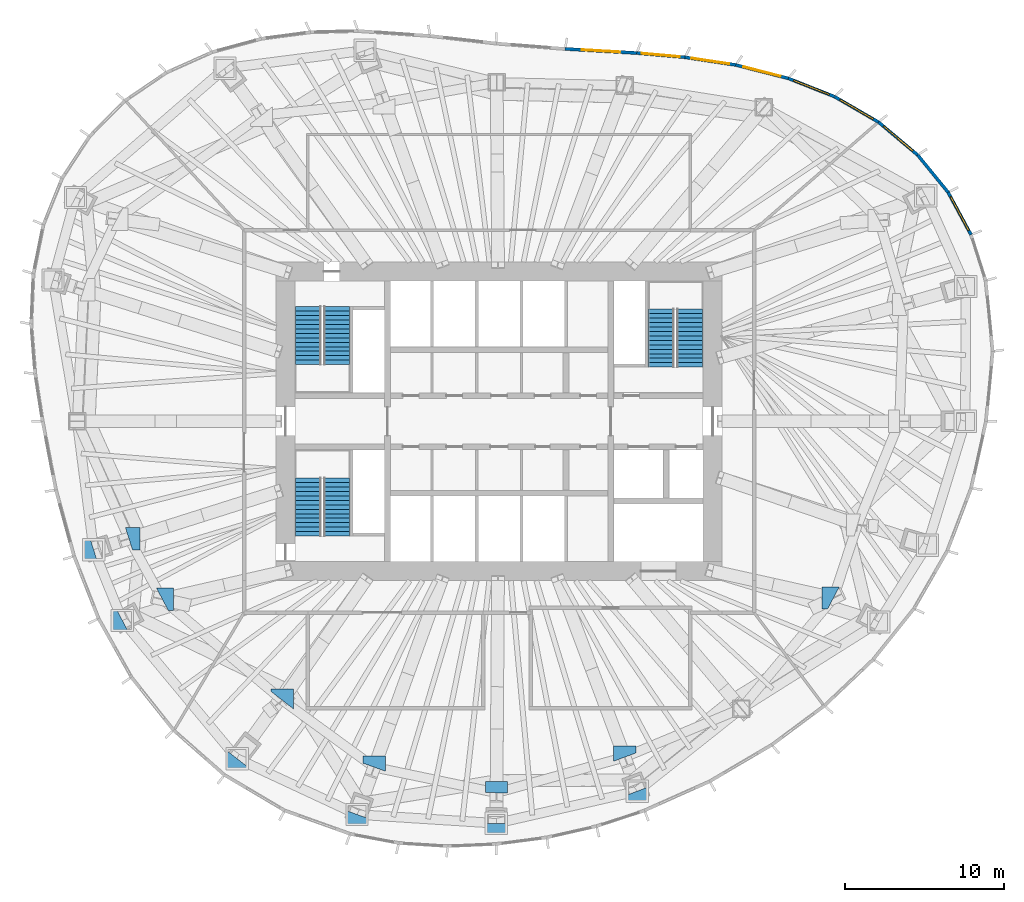
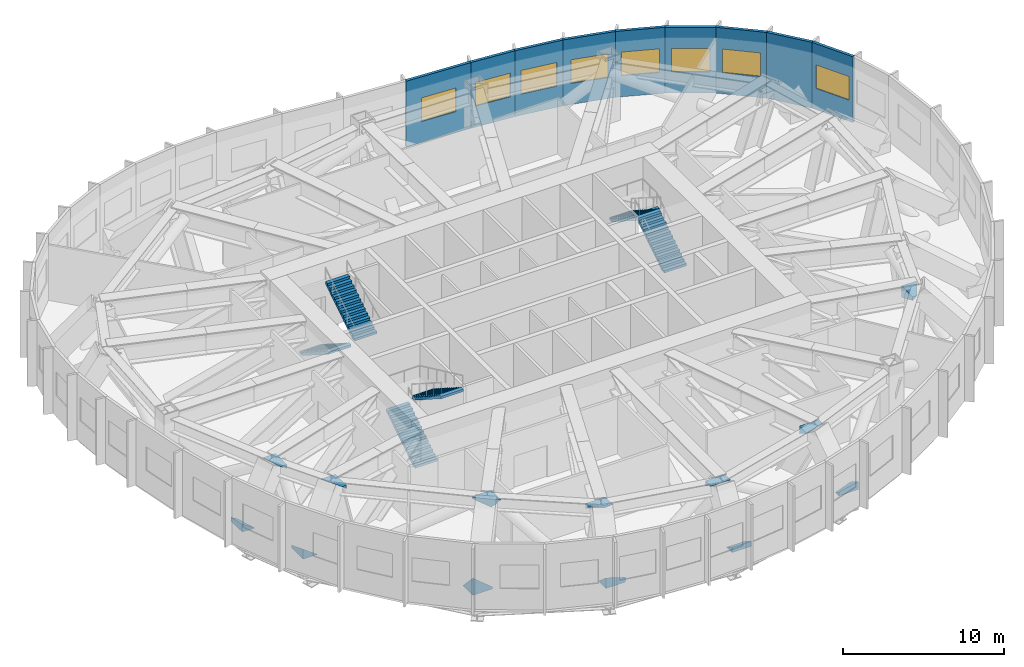
# One storey, part 10 of 12: 13 discrete accessories, 9 walls, 8 windows, 6 stair flights, 8 openings, 3 elements without a shape of their own.
"""IFC4 building model written with IfcOpenShell, lengths in metres."""

import ifcopenshell
import ifcopenshell.guid

model = None  # the IFC model being written
_history = None  # IfcOwnerHistory: only IFC2X3 demands one
_inside = {}  # id of a spatial element -> (the spatial element, [elements in it])
_under = {}  # id of a project, library or spatial element -> (it, [spatial elements below it])
_declared = {}  # id of a project -> (the project, [libraries it declares])
_typed = {}  # id of a type object -> (the type object, [elements of that type])
_made_of = {}  # id of a material, layer set ... -> (it, [elements and type objects made of it])


def new_model(schema):
    """Start an empty IFC model of exactly this schema.

    Asked for "IFC4X3", IfcOpenShell would pick the latest addendum, in which some entities
    have other attributes; the version numbers below select the first issue.
    IFC2X3 requires an IfcOwnerHistory on every rooted entity: one is made here for all.
    """
    global model, _history
    if schema == "IFC4X3":
        model = ifcopenshell.file(schema_version=(4, 3, 0, 0))
    else:
        model = ifcopenshell.file(schema=schema)
    _inside.clear()
    _under.clear()
    _declared.clear()
    _typed.clear()
    _made_of.clear()
    _history = None
    if model.schema == "IFC2X3":
        org = make("IfcOrganization", Name="unknown")
        user = make(
            "IfcPersonAndOrganization",
            ThePerson=make("IfcPerson", FamilyName="unknown"),
            TheOrganization=org,
        )
        app = make(
            "IfcApplication",
            ApplicationDeveloper=org,
            Version="unknown",
            ApplicationFullName="unknown",
            ApplicationIdentifier="unknown",
        )
        _history = make(
            "IfcOwnerHistory",
            OwningUser=user,
            OwningApplication=app,
            ChangeAction="ADDED",
            CreationDate=0,
        )
    return model


def make(cls, **values):
    """One entity of the class cls with the attributes given. An attribute that is None is left unset."""
    return model.create_entity(
        cls, **{name: value for name, value in values.items() if value is not None}
    )


def rooted(cls, **values):
    """An entity with a GlobalId (a new one), such as an element, a storey or a relation."""
    return make(cls, GlobalId=ifcopenshell.guid.new(), OwnerHistory=_history, **values)


def si_unit(unit_type, name, prefix=None):
    """IfcSIUnit, for example si_unit("LENGTHUNIT", "METRE", prefix="MILLI")."""
    return make("IfcSIUnit", UnitType=unit_type, Prefix=prefix, Name=name)


def assignment(units):
    """IfcUnitAssignment: the units of a project."""
    return None if units is None else make("IfcUnitAssignment", Units=units)


def point(xyz):
    """IfcCartesianPoint."""
    return None if xyz is None else make("IfcCartesianPoint", Coordinates=xyz)


def direction(xyz):
    """IfcDirection."""
    return None if xyz is None else make("IfcDirection", DirectionRatios=xyz)


def frame(location, z_axis=None, x_axis=None):
    """IfcAxis2Placement3D, a coordinate frame: its origin and axes. An axis left out is left unset."""
    return make(
        "IfcAxis2Placement3D",
        Location=point(location),
        Axis=direction(z_axis),
        RefDirection=direction(x_axis),
    )


def frame_2d(location, x_axis=None):
    """IfcAxis2Placement2D, a coordinate frame in the plane: its origin and x axis."""
    return make(
        "IfcAxis2Placement2D", Location=point(location), RefDirection=direction(x_axis)
    )


def origin():
    """The frame at (0, 0, 0) with its axes left unset."""
    return frame((0.0, 0.0, 0.0))


def origin_2d():
    """The frame at (0, 0) in the plane with its x axis left unset."""
    return frame_2d((0.0, 0.0))


def place(relative_to, where):
    """IfcLocalPlacement: puts the frame where relative to a parent placement (None: the world)."""
    return make(
        "IfcLocalPlacement", PlacementRelTo=relative_to, RelativePlacement=where
    )


def context(
    kind, dimensions, precision=None, world=None, true_north=None, identifier=None
):
    """IfcGeometricRepresentationContext, for example the 3D "Model" context."""
    return make(
        "IfcGeometricRepresentationContext",
        ContextIdentifier=identifier,
        ContextType=kind,
        CoordinateSpaceDimension=dimensions,
        Precision=precision,
        WorldCoordinateSystem=world,
        TrueNorth=true_north,
    )


def subcontext(parent, identifier, kind, view, scale=None):
    """IfcGeometricRepresentationSubContext, for example "Body" below "Model"."""
    return make(
        "IfcGeometricRepresentationSubContext",
        ContextIdentifier=identifier,
        ContextType=kind,
        ParentContext=parent,
        TargetScale=scale,
        TargetView=view,
    )


def project(units=None, contexts=None):
    """IfcProject with its units and contexts."""
    return rooted(
        "IfcProject",
        Name="project",
        RepresentationContexts=contexts,
        UnitsInContext=assignment(units),
    )


def spatial(cls, under=None, at=None, **own):
    """A site, building, storey or space (cls), placed at a placement, below another one or the project."""
    s = rooted(cls, ObjectPlacement=at, **own)
    if under is not None:
        _under.setdefault(under.id(), (under, []))[1].append(s)
    return s


def polyline(points):
    """IfcPolyline through the points."""
    return make("IfcPolyline", Points=[point(p) for p in points])


def profile(cls, at=None, kind="AREA", **sizes):
    """A parametric profile (cls). Its sizes go by their IFC names, for example OverallWidth=200.0."""
    return make(cls, ProfileType=kind, Position=at, **sizes)


def rectangle(**sizes):
    """IfcRectangleProfileDef."""
    return profile("IfcRectangleProfileDef", **sizes)


def outline(outer, holes=None, kind="AREA"):
    """IfcArbitraryClosedProfileDef: a profile drawn as a closed curve; with holes, ...WithVoids."""
    if holes is None:
        return make("IfcArbitraryClosedProfileDef", ProfileType=kind, OuterCurve=outer)
    return make(
        "IfcArbitraryProfileDefWithVoids",
        ProfileType=kind,
        OuterCurve=outer,
        InnerCurves=holes,
    )


def extrude(swept, where, along, depth):
    """IfcExtrudedAreaSolid: the profile swept, set in the frame where, extruded along a direction by depth."""
    return make(
        "IfcExtrudedAreaSolid",
        SweptArea=swept,
        Position=where,
        ExtrudedDirection=direction(along),
        Depth=depth,
    )


def clip(a, b, op="DIFFERENCE"):
    """IfcBooleanClippingResult: the solid a cut by the half space b."""
    return make(
        "IfcBooleanClippingResult", Operator=op, FirstOperand=a, SecondOperand=b
    )


def halfspace(plane, agree):
    """IfcHalfSpaceSolid: all space on one side of the plane z = 0 of the frame plane."""
    return make(
        "IfcHalfSpaceSolid",
        BaseSurface=make("IfcPlane", Position=plane),
        AgreementFlag=agree,
    )


def shape(context_of_items, identifier, shape_type, items):
    """IfcShapeRepresentation: the items that make up one representation, for example the "Body"."""
    return make(
        "IfcShapeRepresentation",
        ContextOfItems=context_of_items,
        RepresentationIdentifier=identifier,
        RepresentationType=shape_type,
        Items=items,
    )


def material(Name=None, Category=None):
    """IfcMaterial."""
    return make("IfcMaterial", Name=Name, Category=Category)


def layer(
    of_material, thickness, ventilated=None, Name=None, Category=None, Priority=None
):
    """IfcMaterialLayer: one layer of a wall or slab, of a material (None: an air gap)."""
    return make(
        "IfcMaterialLayer",
        Material=of_material,
        LayerThickness=thickness,
        IsVentilated=ventilated,
        Name=Name,
        Category=Category,
        Priority=Priority,
    )


def layer_set(layers, Name=None):
    """IfcMaterialLayerSet."""
    return make("IfcMaterialLayerSet", MaterialLayers=layers, LayerSetName=Name)


def material_profile(
    of_material, cross_section, Name=None, Category=None, Priority=None
):
    """IfcMaterialProfile: a cross section and its material."""
    return make(
        "IfcMaterialProfile",
        Name=Name,
        Material=of_material,
        Profile=cross_section,
        Priority=Priority,
        Category=Category,
    )


def profile_set(profiles, Name=None, composite=None):
    """IfcMaterialProfileSet."""
    return make(
        "IfcMaterialProfileSet",
        Name=Name,
        MaterialProfiles=profiles,
        CompositeProfile=composite,
    )


def made_of(thing, what):
    """Note that an element or type object is made of a material, layer set ...; save() writes the relation."""
    if what is not None:
        _made_of.setdefault(what.id(), (what, []))[1].append(thing)
    return thing


def type_object(cls, material=None, **own):
    """A type object (cls), such as IfcWallType, which elements share."""
    return made_of(rooted(cls, **own), material)


def element(
    cls,
    number,
    at=None,
    inside=None,
    cuts=None,
    type_object=None,
    material=None,
    context=None,
    identifier="Body",
    shape_type=None,
    held_by="IfcProductDefinitionShape",
    body=None,
    shapes=None,
    **own,
):
    """One element of the class cls, such as IfcWall. Its Tag is "e" and its number.

    at: its placement. inside: the storey or other place that contains it. cuts: it is an
    opening in that element (IfcRelVoidsElement). A single representation is given by context,
    identifier, shape_type and body (its items); several are given by shapes. held_by: the class
    of the entity that holds the representations. save() writes the other relations.
    """
    e = rooted(cls, Tag="e%d" % number, ObjectPlacement=at, **own)
    if body is not None:
        shapes = [shape(context, identifier, shape_type, body)]
    if shapes is not None:
        e.Representation = make(held_by, Representations=shapes)
    if inside is not None:
        _inside.setdefault(inside.id(), (inside, []))[1].append(e)
    if cuts is not None:
        rooted(
            "IfcRelVoidsElement", RelatingBuildingElement=cuts, RelatedOpeningElement=e
        )
    if type_object is not None:
        _typed.setdefault(type_object.id(), (type_object, []))[1].append(e)
    return made_of(e, material)


def fill(opening, filler):
    """IfcRelFillsElement: the door or window that sits in an opening."""
    return rooted(
        "IfcRelFillsElement",
        RelatingOpeningElement=opening,
        RelatedBuildingElement=filler,
    )


def aggregate(whole, parts):
    """IfcRelAggregates: a whole, such as a stair, and the parts it consists of."""
    return rooted("IfcRelAggregates", RelatingObject=whole, RelatedObjects=parts)


def save(model, path):
    """Write the relations noted so far, then the file.

    IfcRelAggregates (storeys below a building ...), IfcRelContainedInSpatialStructure (elements
    in a storey), IfcRelDefinesByType, IfcRelAssociatesMaterial and IfcRelDeclares: one each for
    every whole, place, type object, material and project.
    """
    for whole, parts in _under.values():
        aggregate(whole, parts)
    for where, things in _inside.values():
        rooted(
            "IfcRelContainedInSpatialStructure",
            RelatedElements=things,
            RelatingStructure=where,
        )
    for kind, things in _typed.values():
        rooted("IfcRelDefinesByType", RelatedObjects=things, RelatingType=kind)
    for what, things in _made_of.values():
        rooted("IfcRelAssociatesMaterial", RelatedObjects=things, RelatingMaterial=what)
    for by, libraries in _declared.values():
        rooted("IfcRelDeclares", RelatingContext=by, RelatedDefinitions=libraries)
    model.write(path)


model = new_model("IFC4")

# Units and contexts
model_context = context("Model", 3, precision=1e-05, world=origin(), true_north=direction((0.0, 1.0)))
body_context = subcontext(model_context, "Body", "Model", "MODEL_VIEW")
ifc_project = project(units=[si_unit("LENGTHUNIT", "METRE"), si_unit("AREAUNIT", "SQUARE_METRE"), si_unit("VOLUMEUNIT", "CUBIC_METRE"), si_unit("PLANEANGLEUNIT", "RADIAN"), si_unit("MASSUNIT", "GRAM", prefix="KILO")], contexts=[model_context])

# Site, building, storey
site_placement = place(None, origin())
site = spatial("IfcSite", under=ifc_project, at=site_placement, CompositionType="ELEMENT")
building_placement = place(site_placement, origin())
building = spatial("IfcBuilding", under=site, at=building_placement, Name="Ghaith Harvest Tower", CompositionType="ELEMENT")
storey_placement = place(building_placement, frame((0.0, 0.0, 189.800048828125)))
storey = spatial("IfcBuildingStorey", under=building, at=storey_placement, Name="L41", CompositionType="ELEMENT", Elevation=189.800048828125)

# Wall, opening, window
ifc_material_1 = material(Name="Steel, black insulated metal cladding panel", Category="steel")
ifc_layer = layer(ifc_material_1, 0.199951171875)
ifc_layer_set = layer_set([ifc_layer], Name="PLANT ENCLOSURE WALL 200")
wall_type = type_object("IfcWallType", Name="PLANT ENCLOSURE WALL 200", PredefinedType="SOLIDWALL", material=ifc_layer_set)
wall_1_placement = place(storey_placement, frame((29.615966796875, 11.70849609375, 0.0), z_axis=(0.0, 0.0, 1.0), x_axis=(-0.475196386684, 0.879879761151, 0.0)))
wall_1 = element("IfcWall", 1, at=wall_1_placement, inside=storey, type_object=wall_type, Name="Plant enclosure wall 02.2 L41", PredefinedType="SOLIDWALL", context=body_context, shape_type="SweptSolid", body=[
    extrude(rectangle(XDim=3.026123046875, YDim=0.199951171875, at=frame_2d((1.51318359375, 0.0))), origin(), (0.0, 0.0, 1.0), 5.0),
])
opening_1_placement = place(wall_1_placement, frame((0.31298828125, 0.0, 1.60009765625)))
opening_1 = element("IfcOpeningElement", 2, at=opening_1_placement, cuts=wall_1, Name="Opening LV1", PredefinedType="OPENING", context=body_context, shape_type="SweptSolid", body=[
    extrude(rectangle(XDim=2.39990234375, YDim=1.800048828125, at=frame_2d((1.199951171875, 0.89990234375))), frame((0.0, 0.10986328125, 0.0), z_axis=(0.0, -1.0, 0.0), x_axis=(1.0, 0.0, 0.0)), (0.0, 0.0, 1.0), 0.219970703125),
])
ifc_material_2 = material(Name="Aluminium louvre, black", Category="aluminium")
window_type = type_object("IfcWindowType", Name="LOUVRE L1 2400x1800", PartitioningType="SINGLE_PANEL", PredefinedType="WINDOW", material=ifc_material_2)
window_1_placement = place(opening_1_placement, origin())
window_1 = element("IfcWindow", 3, at=window_1_placement, inside=storey, type_object=window_type, Name="Plant louvre 02.2 L41", OverallHeight=1.800048828125, OverallWidth=2.39990234375, PartitioningType="SINGLE_PANEL", PredefinedType="WINDOW", context=body_context, shape_type="SweptSolid", body=[
    extrude(rectangle(XDim=2.39990234375, YDim=1.800048828125, at=frame_2d((1.199951171875, 0.89990234375))), frame((0.0, 0.030029296875, 0.0), z_axis=(0.0, -1.0, 0.0), x_axis=(1.0, 0.0, 0.0)), (0.0, 0.0, 1.0), 0.06005859375),
])
fill(opening_1, window_1)

# Wall
wall_2_placement = place(storey_placement, frame((28.177978515625, 14.37109375, 0.0), z_axis=(0.0, 0.0, 1.0), x_axis=(-0.632574099332, 0.774499844322, 0.0)))
element("IfcWall", 4, at=wall_2_placement, inside=storey, type_object=wall_type, Name="Plant enclosure wall 02.3 L41", PredefinedType="SOLIDWALL", context=body_context, shape_type="SweptSolid", body=[
    extrude(rectangle(XDim=3.02587890625, YDim=0.199951171875, at=frame_2d((1.512939453125, 0.0))), origin(), (0.0, 0.0, 1.0), 5.0),
])

# Wall, opening, window
wall_3_placement = place(storey_placement, frame((26.263916015625, 16.714599609375, 0.0), z_axis=(0.0, 0.0, 1.0), x_axis=(-0.76560297856, 0.643313360051, 0.0)))
wall_3 = element("IfcWall", 5, at=wall_3_placement, inside=storey, type_object=wall_type, Name="Plant enclosure wall 03.1 L41", PredefinedType="SOLIDWALL", context=body_context, shape_type="SweptSolid", body=[
    extrude(rectangle(XDim=3.210205078125, YDim=0.199951171875, at=frame_2d((1.60498046875, 0.0))), origin(), (0.0, 0.0, 1.0), 5.0),
])
opening_2_placement = place(wall_3_placement, frame((0.405029296875, 0.0, 1.60009765625)))
opening_2 = element("IfcOpeningElement", 6, at=opening_2_placement, cuts=wall_3, Name="Opening LV1", PredefinedType="OPENING", context=body_context, shape_type="SweptSolid", body=[
    extrude(rectangle(XDim=2.39990234375, YDim=1.800048828125, at=frame_2d((1.199951171875, 0.89990234375))), frame((0.0, 0.10986328125, 0.0), z_axis=(0.0, -1.0, 0.0), x_axis=(1.0, 0.0, 0.0)), (0.0, 0.0, 1.0), 0.219970703125),
])
window_2_placement = place(opening_2_placement, origin())
window_2 = element("IfcWindow", 7, at=window_2_placement, inside=storey, type_object=window_type, Name="Plant louvre 03.1 L41", OverallHeight=1.800048828125, OverallWidth=2.39990234375, PartitioningType="SINGLE_PANEL", PredefinedType="WINDOW", context=body_context, shape_type="SweptSolid", body=[
    extrude(rectangle(XDim=2.39990234375, YDim=1.800048828125, at=frame_2d((1.199951171875, 0.89990234375))), frame((0.0, 0.030029296875, 0.0), z_axis=(0.0, -1.0, 0.0), x_axis=(1.0, 0.0, 0.0)), (0.0, 0.0, 1.0), 0.06005859375),
])
fill(opening_2, window_2)

wall_4_placement = place(storey_placement, frame((23.80615234375, 18.77978515625, 0.0), z_axis=(0.0, 0.0, 1.0), x_axis=(-0.865315990088, 0.501226732426, 0.0)))
wall_4 = element("IfcWall", 8, at=wall_4_placement, inside=storey, type_object=wall_type, Name="Plant enclosure wall 03.2 L41", PredefinedType="SOLIDWALL", context=body_context, shape_type="SweptSolid", body=[
    extrude(rectangle(XDim=3.18310546875, YDim=0.199951171875, at=frame_2d((1.591552734375, 0.0))), origin(), (0.0, 0.0, 1.0), 5.0),
])
opening_3_placement = place(wall_4_placement, frame((0.3916015625, 0.0, 1.60009765625)))
opening_3 = element("IfcOpeningElement", 9, at=opening_3_placement, cuts=wall_4, Name="Opening LV1", PredefinedType="OPENING", context=body_context, shape_type="SweptSolid", body=[
    extrude(rectangle(XDim=2.39990234375, YDim=1.800048828125, at=frame_2d((1.199951171875, 0.89990234375))), frame((0.0, 0.10986328125, 0.0), z_axis=(0.0, -1.0, 0.0), x_axis=(1.0, 0.0, 0.0)), (0.0, 0.0, 1.0), 0.219970703125),
])
window_3_placement = place(opening_3_placement, origin())
window_3 = element("IfcWindow", 10, at=window_3_placement, inside=storey, type_object=window_type, Name="Plant louvre 03.2 L41", OverallHeight=1.800048828125, OverallWidth=2.39990234375, PartitioningType="SINGLE_PANEL", PredefinedType="WINDOW", context=body_context, shape_type="SweptSolid", body=[
    extrude(rectangle(XDim=2.39990234375, YDim=1.800048828125, at=frame_2d((1.199951171875, 0.89990234375))), frame((0.0, 0.030029296875, 0.0), z_axis=(0.0, -1.0, 0.0), x_axis=(1.0, 0.0, 0.0)), (0.0, 0.0, 1.0), 0.06005859375),
])
fill(opening_3, window_3)

wall_5_placement = place(storey_placement, frame((21.0517578125, 20.375244140625, 0.0), z_axis=(0.0, 0.0, 1.0), x_axis=(-0.929958232121, 0.367665182619, 0.0)))
wall_5 = element("IfcWall", 11, at=wall_5_placement, inside=storey, type_object=wall_type, Name="Plant enclosure wall 03.3 L41", PredefinedType="SOLIDWALL", context=body_context, shape_type="SweptSolid", body=[
    extrude(rectangle(XDim=3.120849609375, YDim=0.199951171875, at=frame_2d((1.560546875, 0.0))), origin(), (0.0, 0.0, 1.0), 5.0),
])
opening_4_placement = place(wall_5_placement, frame((0.360595703125, 0.0, 1.60009765625)))
opening_4 = element("IfcOpeningElement", 12, at=opening_4_placement, cuts=wall_5, Name="Opening LV1", PredefinedType="OPENING", context=body_context, shape_type="SweptSolid", body=[
    extrude(rectangle(XDim=2.39990234375, YDim=1.800048828125, at=frame_2d((1.199951171875, 0.89990234375))), frame((0.0, 0.10986328125, 0.0), z_axis=(0.0, -1.0, 0.0), x_axis=(1.0, 0.0, 0.0)), (0.0, 0.0, 1.0), 0.219970703125),
])
window_4_placement = place(opening_4_placement, origin())
window_4 = element("IfcWindow", 13, at=window_4_placement, inside=storey, type_object=window_type, Name="Plant louvre 03.3 L41", OverallHeight=1.800048828125, OverallWidth=2.39990234375, PartitioningType="SINGLE_PANEL", PredefinedType="WINDOW", context=body_context, shape_type="SweptSolid", body=[
    extrude(rectangle(XDim=2.39990234375, YDim=1.800048828125, at=frame_2d((1.199951171875, 0.89990234375))), frame((0.0, 0.030029296875, 0.0), z_axis=(0.0, -1.0, 0.0), x_axis=(1.0, 0.0, 0.0)), (0.0, 0.0, 1.0), 0.06005859375),
])
fill(opening_4, window_4)

wall_6_placement = place(storey_placement, frame((18.1494140625, 21.522705078125, 0.0), z_axis=(0.0, 0.0, 1.0), x_axis=(-0.968996003828, 0.24707639419, 0.0)))
wall_6 = element("IfcWall", 14, at=wall_6_placement, inside=storey, type_object=wall_type, Name="Plant enclosure wall 04.1 L41", PredefinedType="SOLIDWALL", context=body_context, shape_type="SweptSolid", body=[
    extrude(rectangle(XDim=3.401123046875, YDim=0.199951171875, at=frame_2d((1.70068359375, 0.0))), origin(), (0.0, 0.0, 1.0), 5.0),
])
opening_5_placement = place(wall_6_placement, frame((0.50048828125, 0.0, 1.60009765625)))
opening_5 = element("IfcOpeningElement", 15, at=opening_5_placement, cuts=wall_6, Name="Opening LV1", PredefinedType="OPENING", context=body_context, shape_type="SweptSolid", body=[
    extrude(rectangle(XDim=2.39990234375, YDim=1.800048828125, at=frame_2d((1.199951171875, 0.89990234375))), frame((0.0, 0.10986328125, 0.0), z_axis=(0.0, -1.0, 0.0), x_axis=(1.0, 0.0, 0.0)), (0.0, 0.0, 1.0), 0.219970703125),
])
window_5_placement = place(opening_5_placement, origin())
window_5 = element("IfcWindow", 16, at=window_5_placement, inside=storey, type_object=window_type, Name="Plant louvre 04.1 L41", OverallHeight=1.800048828125, OverallWidth=2.39990234375, PartitioningType="SINGLE_PANEL", PredefinedType="WINDOW", context=body_context, shape_type="SweptSolid", body=[
    extrude(rectangle(XDim=2.39990234375, YDim=1.800048828125, at=frame_2d((1.199951171875, 0.89990234375))), frame((0.0, 0.030029296875, 0.0), z_axis=(0.0, -1.0, 0.0), x_axis=(1.0, 0.0, 0.0)), (0.0, 0.0, 1.0), 0.06005859375),
])
fill(opening_5, window_5)

wall_7_placement = place(storey_placement, frame((14.853759765625, 22.363037109375, 0.0), z_axis=(0.0, 0.0, 1.0), x_axis=(-0.988726707852, 0.149731416807, 0.0)))
wall_7 = element("IfcWall", 17, at=wall_7_placement, inside=storey, type_object=wall_type, Name="Plant enclosure wall 04.2 L41", PredefinedType="SOLIDWALL", context=body_context, shape_type="SweptSolid", body=[
    extrude(rectangle(XDim=3.226806640625, YDim=0.199951171875, at=frame_2d((1.61328125, 0.0))), origin(), (0.0, 0.0, 1.0), 5.0),
])
opening_6_placement = place(wall_7_placement, frame((0.413330078125, 0.0, 1.60009765625)))
opening_6 = element("IfcOpeningElement", 18, at=opening_6_placement, cuts=wall_7, Name="Opening LV1", PredefinedType="OPENING", context=body_context, shape_type="SweptSolid", body=[
    extrude(rectangle(XDim=2.39990234375, YDim=1.800048828125, at=frame_2d((1.199951171875, 0.89990234375))), frame((0.0, 0.10986328125, 0.0), z_axis=(0.0, -1.0, 0.0), x_axis=(1.0, 0.0, 0.0)), (0.0, 0.0, 1.0), 0.219970703125),
])
window_6_placement = place(opening_6_placement, origin())
window_6 = element("IfcWindow", 19, at=window_6_placement, inside=storey, type_object=window_type, Name="Plant louvre 04.2 L41", OverallHeight=1.800048828125, OverallWidth=2.39990234375, PartitioningType="SINGLE_PANEL", PredefinedType="WINDOW", context=body_context, shape_type="SweptSolid", body=[
    extrude(rectangle(XDim=2.39990234375, YDim=1.800048828125, at=frame_2d((1.199951171875, 0.89990234375))), frame((0.0, 0.030029296875, 0.0), z_axis=(0.0, -1.0, 0.0), x_axis=(1.0, 0.0, 0.0)), (0.0, 0.0, 1.0), 0.06005859375),
])
fill(opening_6, window_6)

wall_8_placement = place(storey_placement, frame((11.663330078125, 22.84619140625, 0.0), z_axis=(0.0, 0.0, 1.0), x_axis=(-0.996184544744, 0.087271718292, 0.0)))
wall_8 = element("IfcWall", 20, at=wall_8_placement, inside=storey, type_object=wall_type, Name="Plant enclosure wall 04.3 L41", PredefinedType="SOLIDWALL", context=body_context, shape_type="SweptSolid", body=[
    extrude(rectangle(XDim=3.03515625, YDim=0.199951171875, at=frame_2d((1.517578125, 0.0))), origin(), (0.0, 0.0, 1.0), 5.0),
])
opening_7_placement = place(wall_8_placement, frame((0.317626953125, 0.0, 1.60009765625)))
opening_7 = element("IfcOpeningElement", 21, at=opening_7_placement, cuts=wall_8, Name="Opening LV1", PredefinedType="OPENING", context=body_context, shape_type="SweptSolid", body=[
    extrude(rectangle(XDim=2.39990234375, YDim=1.800048828125, at=frame_2d((1.199951171875, 0.89990234375))), frame((0.0, 0.10986328125, 0.0), z_axis=(0.0, -1.0, 0.0), x_axis=(1.0, 0.0, 0.0)), (0.0, 0.0, 1.0), 0.219970703125),
])
window_7_placement = place(opening_7_placement, origin())
window_7 = element("IfcWindow", 22, at=window_7_placement, inside=storey, type_object=window_type, Name="Plant louvre 04.3 L41", OverallHeight=1.800048828125, OverallWidth=2.39990234375, PartitioningType="SINGLE_PANEL", PredefinedType="WINDOW", context=body_context, shape_type="SweptSolid", body=[
    extrude(rectangle(XDim=2.39990234375, YDim=1.800048828125, at=frame_2d((1.199951171875, 0.89990234375))), frame((0.0, 0.030029296875, 0.0), z_axis=(0.0, -1.0, 0.0), x_axis=(1.0, 0.0, 0.0)), (0.0, 0.0, 1.0), 0.06005859375),
])
fill(opening_7, window_7)

wall_9_placement = place(storey_placement, frame((8.6396484375, 23.111083984375, 0.0), z_axis=(0.0, 0.0, 1.0), x_axis=(-0.99832925557, 0.057781463049, 0.0)))
wall_9 = element("IfcWall", 23, at=wall_9_placement, inside=storey, type_object=wall_type, Name="Plant enclosure wall 05.1 L41", PredefinedType="SOLIDWALL", context=body_context, shape_type="SweptSolid", body=[
    extrude(rectangle(XDim=4.504150390625, YDim=0.199951171875, at=frame_2d((2.251953125, 0.0))), origin(), (0.0, 0.0, 1.0), 5.0),
])
opening_8_placement = place(wall_9_placement, frame((1.052001953125, 0.0, 1.60009765625)))
opening_8 = element("IfcOpeningElement", 24, at=opening_8_placement, cuts=wall_9, Name="Opening LV1", PredefinedType="OPENING", context=body_context, shape_type="SweptSolid", body=[
    extrude(rectangle(XDim=2.39990234375, YDim=1.800048828125, at=frame_2d((1.199951171875, 0.89990234375))), frame((0.0, 0.10986328125, 0.0), z_axis=(0.0, -1.0, 0.0), x_axis=(1.0, 0.0, 0.0)), (0.0, 0.0, 1.0), 0.219970703125),
])
window_8_placement = place(opening_8_placement, origin())
window_8 = element("IfcWindow", 25, at=window_8_placement, inside=storey, type_object=window_type, Name="Plant louvre 05.1 L41", OverallHeight=1.800048828125, OverallWidth=2.39990234375, PartitioningType="SINGLE_PANEL", PredefinedType="WINDOW", context=body_context, shape_type="SweptSolid", body=[
    extrude(rectangle(XDim=2.39990234375, YDim=1.800048828125, at=frame_2d((1.199951171875, 0.89990234375))), frame((0.0, 0.030029296875, 0.0), z_axis=(0.0, -1.0, 0.0), x_axis=(1.0, 0.0, 0.0)), (0.0, 0.0, 1.0), 0.06005859375),
])
fill(opening_8, window_8)

# Stair, stair flights
ifc_material_3 = material(Name="Concrete C40/50, precast", Category="concrete")
stair_type = type_object("IfcStairType", Name="CORE STAIR 28R", PredefinedType="HALF_TURN_STAIR", material=ifc_material_3)
stair_1_placement = place(storey_placement, origin())
stair_1 = element("IfcStair", 26, at=stair_1_placement, inside=storey, type_object=stair_type, Name="Stair ST1 L41", PredefinedType="HALF_TURN_STAIR")
ifc_material_4 = material(Name="Concrete C40/50, precast", Category="concrete")
stair_flight_type = type_object("IfcStairFlightType", Name="CORE FLIGHT 14R 1600", PredefinedType="STRAIGHT", material=ifc_material_4)
stair_flight_1_placement = place(storey_placement, frame((-12.0, 7.199951171875, 0.0), z_axis=(0.0, 0.0, 1.0), x_axis=(0.0, -1.0, 0.0)))
stair_flight_1 = element("IfcStairFlight", 27, at=stair_flight_1_placement, type_object=stair_flight_type, Name="ST1 flight 1", NumberOfRisers=14, NumberOfTreads=13, PredefinedType="STRAIGHT", RiserHeight=0.178571429, TreadLength=0.28, context=body_context, shape_type="SweptSolid", body=[
    extrude(outline(polyline([(0.0, 0.0), (0.0, 0.178466796875), (0.280029296875, 0.178466796875), (0.280029296875, 0.357177734375), (0.56005859375, 0.357177734375), (0.56005859375, 0.53564453125), (0.840087890625, 0.53564453125), (0.840087890625, 0.71435546875), (1.1201171875, 0.71435546875), (1.1201171875, 0.892822265625), (1.39990234375, 0.892822265625), (1.39990234375, 1.071533203125), (1.679931640625, 1.071533203125), (1.679931640625, 1.25), (1.9599609375, 1.25), (1.9599609375, 1.428466796875), (2.239990234375, 1.428466796875), (2.239990234375, 1.607177734375), (2.52001953125, 1.607177734375), (2.52001953125, 1.78564453125), (2.800048828125, 1.78564453125), (2.800048828125, 1.96435546875), (3.080078125, 1.96435546875), (3.080078125, 2.142822265625), (3.360107421875, 2.142822265625), (3.360107421875, 2.321533203125), (3.639892578125, 2.321533203125), (3.639892578125, 2.5), (3.639892578125, 2.1435546875), (0.27880859375, 0.0), (0.0, 0.0)])), frame((0.0, 0.800048828125, 0.0), z_axis=(0.0, -1.0, 0.0), x_axis=(1.0, 0.0, 0.0)), (0.0, 0.0, 1.0), 1.60009765625),
])
stair_flight_2_placement = place(storey_placement, frame((-10.14990234375, 3.56005859375, 2.5), z_axis=(0.0, 0.0, 1.0), x_axis=(0.0, 1.0, 0.0)))
stair_flight_2 = element("IfcStairFlight", 28, at=stair_flight_2_placement, type_object=stair_flight_type, Name="ST1 flight 2", NumberOfRisers=14, NumberOfTreads=13, PredefinedType="STRAIGHT", RiserHeight=0.178571429, TreadLength=0.28, context=body_context, shape_type="SweptSolid", body=[
    extrude(outline(polyline([(0.0, 0.0), (0.0, 0.178466796875), (0.280029296875, 0.178466796875), (0.280029296875, 0.357177734375), (0.56005859375, 0.357177734375), (0.56005859375, 0.53564453125), (0.840087890625, 0.53564453125), (0.840087890625, 0.71435546875), (1.1201171875, 0.71435546875), (1.1201171875, 0.892822265625), (1.39990234375, 0.892822265625), (1.39990234375, 1.071533203125), (1.679931640625, 1.071533203125), (1.679931640625, 1.25), (1.9599609375, 1.25), (1.9599609375, 1.428466796875), (2.239990234375, 1.428466796875), (2.239990234375, 1.607177734375), (2.52001953125, 1.607177734375), (2.52001953125, 1.78564453125), (2.800048828125, 1.78564453125), (2.800048828125, 1.96435546875), (3.080078125, 1.96435546875), (3.080078125, 2.142822265625), (3.360107421875, 2.142822265625), (3.360107421875, 2.321533203125), (3.639892578125, 2.321533203125), (3.639892578125, 2.5), (3.639892578125, 2.1435546875), (0.27880859375, 0.0), (0.0, 0.0)])), frame((0.0, 0.800048828125, 0.0), z_axis=(0.0, -1.0, 0.0), x_axis=(1.0, 0.0, 0.0)), (0.0, 0.0, 1.0), 1.60009765625),
])
aggregate(stair_1, [stair_flight_1, stair_flight_2])

stair_2_placement = place(storey_placement, origin())
stair_2 = element("IfcStair", 29, at=stair_2_placement, inside=storey, type_object=stair_type, Name="Stair ST3 L41", PredefinedType="HALF_TURN_STAIR")
stair_flight_3_placement = place(storey_placement, frame((-12.0, -7.199951171875, 0.0), z_axis=(0.0, 0.0, 1.0), x_axis=(0.0, 1.0, 0.0)))
stair_flight_3 = element("IfcStairFlight", 30, at=stair_flight_3_placement, type_object=stair_flight_type, Name="ST3 flight 1", NumberOfRisers=14, NumberOfTreads=13, PredefinedType="STRAIGHT", RiserHeight=0.178571429, TreadLength=0.28, context=body_context, shape_type="SweptSolid", body=[
    extrude(outline(polyline([(0.0, 0.0), (0.0, 0.178466796875), (0.280029296875, 0.178466796875), (0.280029296875, 0.357177734375), (0.56005859375, 0.357177734375), (0.56005859375, 0.53564453125), (0.840087890625, 0.53564453125), (0.840087890625, 0.71435546875), (1.1201171875, 0.71435546875), (1.1201171875, 0.892822265625), (1.39990234375, 0.892822265625), (1.39990234375, 1.071533203125), (1.679931640625, 1.071533203125), (1.679931640625, 1.25), (1.9599609375, 1.25), (1.9599609375, 1.428466796875), (2.239990234375, 1.428466796875), (2.239990234375, 1.607177734375), (2.52001953125, 1.607177734375), (2.52001953125, 1.78564453125), (2.800048828125, 1.78564453125), (2.800048828125, 1.96435546875), (3.080078125, 1.96435546875), (3.080078125, 2.142822265625), (3.360107421875, 2.142822265625), (3.360107421875, 2.321533203125), (3.639892578125, 2.321533203125), (3.639892578125, 2.5), (3.639892578125, 2.1435546875), (0.27880859375, 0.0), (0.0, 0.0)])), frame((0.0, 0.800048828125, 0.0), z_axis=(0.0, -1.0, 0.0), x_axis=(1.0, 0.0, 0.0)), (0.0, 0.0, 1.0), 1.60009765625),
])
stair_flight_4_placement = place(storey_placement, frame((-10.14990234375, -3.56005859375, 2.5), z_axis=(0.0, 0.0, 1.0), x_axis=(0.0, -1.0, 0.0)))
stair_flight_4 = element("IfcStairFlight", 31, at=stair_flight_4_placement, type_object=stair_flight_type, Name="ST3 flight 2", NumberOfRisers=14, NumberOfTreads=13, PredefinedType="STRAIGHT", RiserHeight=0.178571429, TreadLength=0.28, context=body_context, shape_type="SweptSolid", body=[
    extrude(outline(polyline([(0.0, 0.0), (0.0, 0.178466796875), (0.280029296875, 0.178466796875), (0.280029296875, 0.357177734375), (0.56005859375, 0.357177734375), (0.56005859375, 0.53564453125), (0.840087890625, 0.53564453125), (0.840087890625, 0.71435546875), (1.1201171875, 0.71435546875), (1.1201171875, 0.892822265625), (1.39990234375, 0.892822265625), (1.39990234375, 1.071533203125), (1.679931640625, 1.071533203125), (1.679931640625, 1.25), (1.9599609375, 1.25), (1.9599609375, 1.428466796875), (2.239990234375, 1.428466796875), (2.239990234375, 1.607177734375), (2.52001953125, 1.607177734375), (2.52001953125, 1.78564453125), (2.800048828125, 1.78564453125), (2.800048828125, 1.96435546875), (3.080078125, 1.96435546875), (3.080078125, 2.142822265625), (3.360107421875, 2.142822265625), (3.360107421875, 2.321533203125), (3.639892578125, 2.321533203125), (3.639892578125, 2.5), (3.639892578125, 2.1435546875), (0.27880859375, 0.0), (0.0, 0.0)])), frame((0.0, 0.800048828125, 0.0), z_axis=(0.0, -1.0, 0.0), x_axis=(1.0, 0.0, 0.0)), (0.0, 0.0, 1.0), 1.60009765625),
])
aggregate(stair_2, [stair_flight_3, stair_flight_4])

stair_3_placement = place(storey_placement, origin())
stair_3 = element("IfcStair", 32, at=stair_3_placement, inside=storey, type_object=stair_type, Name="Stair ST2 L41", PredefinedType="HALF_TURN_STAIR")
stair_flight_5_placement = place(storey_placement, frame((12.0, 3.39990234375, 0.0), z_axis=(0.0, 0.0, 1.0), x_axis=(0.0, 1.0, 0.0)))
stair_flight_5 = element("IfcStairFlight", 33, at=stair_flight_5_placement, type_object=stair_flight_type, Name="ST2 flight 1", NumberOfRisers=14, NumberOfTreads=13, PredefinedType="STRAIGHT", RiserHeight=0.178571429, TreadLength=0.28, context=body_context, shape_type="SweptSolid", body=[
    extrude(outline(polyline([(0.0, 0.0), (0.0, 0.178466796875), (0.280029296875, 0.178466796875), (0.280029296875, 0.357177734375), (0.56005859375, 0.357177734375), (0.56005859375, 0.53564453125), (0.840087890625, 0.53564453125), (0.840087890625, 0.71435546875), (1.1201171875, 0.71435546875), (1.1201171875, 0.892822265625), (1.39990234375, 0.892822265625), (1.39990234375, 1.071533203125), (1.679931640625, 1.071533203125), (1.679931640625, 1.25), (1.9599609375, 1.25), (1.9599609375, 1.428466796875), (2.239990234375, 1.428466796875), (2.239990234375, 1.607177734375), (2.52001953125, 1.607177734375), (2.52001953125, 1.78564453125), (2.800048828125, 1.78564453125), (2.800048828125, 1.96435546875), (3.080078125, 1.96435546875), (3.080078125, 2.142822265625), (3.360107421875, 2.142822265625), (3.360107421875, 2.321533203125), (3.639892578125, 2.321533203125), (3.639892578125, 2.5), (3.639892578125, 2.1435546875), (0.27880859375, 0.0), (0.0, 0.0)])), frame((0.0, 0.800048828125, 0.0), z_axis=(0.0, -1.0, 0.0), x_axis=(1.0, 0.0, 0.0)), (0.0, 0.0, 1.0), 1.60009765625),
])
stair_flight_6_placement = place(storey_placement, frame((10.14990234375, 7.0400390625, 2.5), z_axis=(0.0, 0.0, 1.0), x_axis=(0.0, -1.0, 0.0)))
stair_flight_6 = element("IfcStairFlight", 34, at=stair_flight_6_placement, type_object=stair_flight_type, Name="ST2 flight 2", NumberOfRisers=14, NumberOfTreads=13, PredefinedType="STRAIGHT", RiserHeight=0.178571429, TreadLength=0.28, context=body_context, shape_type="SweptSolid", body=[
    extrude(outline(polyline([(0.0, 0.0), (0.0, 0.178466796875), (0.280029296875, 0.178466796875), (0.280029296875, 0.357177734375), (0.56005859375, 0.357177734375), (0.56005859375, 0.53564453125), (0.840087890625, 0.53564453125), (0.840087890625, 0.71435546875), (1.1201171875, 0.71435546875), (1.1201171875, 0.892822265625), (1.39990234375, 0.892822265625), (1.39990234375, 1.071533203125), (1.679931640625, 1.071533203125), (1.679931640625, 1.25), (1.9599609375, 1.25), (1.9599609375, 1.428466796875), (2.239990234375, 1.428466796875), (2.239990234375, 1.607177734375), (2.52001953125, 1.607177734375), (2.52001953125, 1.78564453125), (2.800048828125, 1.78564453125), (2.800048828125, 1.96435546875), (3.080078125, 1.96435546875), (3.080078125, 2.142822265625), (3.360107421875, 2.142822265625), (3.360107421875, 2.321533203125), (3.639892578125, 2.321533203125), (3.639892578125, 2.5), (3.639892578125, 2.1435546875), (0.27880859375, 0.0), (0.0, 0.0)])), frame((0.0, 0.800048828125, 0.0), z_axis=(0.0, -1.0, 0.0), x_axis=(1.0, 0.0, 0.0)), (0.0, 0.0, 1.0), 1.60009765625),
])
aggregate(stair_3, [stair_flight_5, stair_flight_6])

# Discrete accessories
ifc_material_5 = material(Name="Steel S460M", Category="steel")
ifc_material_profile = material_profile(ifc_material_5, rectangle(XDim=1.39990234375, YDim=1.39990234375, at=origin_2d()), Name="KINK NODE BEARING SHOE 1400")
ifc_profile_set = profile_set([ifc_material_profile], Name="Steel S460M")
discrete_accessory_type = type_object("IfcDiscreteAccessoryType", Name="KINK NODE BEARING SHOE 1400", PredefinedType="SHOE", material=ifc_profile_set)
discrete_accessory_1_placement = place(storey_placement, frame((-25.43603515625, -8.06103515625, 0.77490234375), z_axis=(0.0, 0.0, 1.0), x_axis=(1.0, 0.0, 0.0)))
element("IfcDiscreteAccessory", 35, at=discrete_accessory_1_placement, inside=storey, type_object=discrete_accessory_type, Name="Kink node bearing shoe C12 base L41", PredefinedType="SHOE", context=body_context, shape_type="Clipping", body=[
    clip(extrude(rectangle(XDim=1.39990234375, YDim=1.39990234375, at=origin_2d()), origin(), (0.0, 0.0, 1.0), 0.60107421875), halfspace(frame((0.0, 0.0, 0.0), z_axis=(0.532019135841, 0.168601000949, 0.829776681751), x_axis=(1.0, 0.0, 0.0)), False)),
])
discrete_accessory_2_placement = place(storey_placement, frame((-23.22412109375, -7.360107421875, 3.6240234375), z_axis=(0.0, 0.0, 1.0), x_axis=(1.0, 0.0, 0.0)))
element("IfcDiscreteAccessory", 36, at=discrete_accessory_2_placement, inside=storey, type_object=discrete_accessory_type, Name="Kink node bearing shoe C12 head L41", PredefinedType="SHOE", context=body_context, shape_type="Clipping", body=[
    clip(extrude(rectangle(XDim=1.39990234375, YDim=1.39990234375, at=origin_2d()), origin(), (0.0, 0.0, 1.0), 0.600830078125), halfspace(frame((0.0, 0.0, 0.600830078125), z_axis=(-0.532019135841, -0.168601000949, -0.829776681751), x_axis=(1.0, 0.0, 0.0)), False)),
])
discrete_accessory_3_placement = place(storey_placement, frame((-23.635009765625, -12.492919921875, 0.77490234375), z_axis=(0.0, 0.0, 1.0), x_axis=(1.0, 0.0, 0.0)))
element("IfcDiscreteAccessory", 37, at=discrete_accessory_3_placement, inside=storey, type_object=discrete_accessory_type, Name="Kink node bearing shoe C13 base L41", PredefinedType="SHOE", context=body_context, shape_type="Clipping", body=[
    clip(extrude(rectangle(XDim=1.39990234375, YDim=1.39990234375, at=origin_2d()), origin(), (0.0, 0.0, 1.0), 0.78857421875), halfspace(frame((0.0, 0.0, 0.0), z_axis=(0.561765499701, 0.296997138842, 0.772147798589), x_axis=(1.0, 0.0, 0.0)), False)),
])
discrete_accessory_4_placement = place(storey_placement, frame((-21.125, -11.166015625, 3.4365234375), z_axis=(0.0, 0.0, 1.0), x_axis=(1.0, 0.0, 0.0)))
element("IfcDiscreteAccessory", 38, at=discrete_accessory_4_placement, inside=storey, type_object=discrete_accessory_type, Name="Kink node bearing shoe C13 head L41", PredefinedType="SHOE", context=body_context, shape_type="Clipping", body=[
    clip(extrude(rectangle(XDim=1.39990234375, YDim=1.39990234375, at=origin_2d()), origin(), (0.0, 0.0, 1.0), 0.788330078125), halfspace(frame((0.0, 0.0, 0.788330078125), z_axis=(-0.561765499701, -0.296997138842, -0.772147798589), x_axis=(1.0, 0.0, 0.0)), False)),
])
discrete_accessory_5_placement = place(storey_placement, frame((-16.43701171875, -21.1640625, 0.77490234375), z_axis=(0.0, 0.0, 1.0), x_axis=(1.0, 0.0, 0.0)))
element("IfcDiscreteAccessory", 39, at=discrete_accessory_5_placement, inside=storey, type_object=discrete_accessory_type, Name="Kink node bearing shoe C14 base L41", PredefinedType="SHOE", context=body_context, shape_type="Clipping", body=[
    clip(extrude(rectangle(XDim=1.39990234375, YDim=1.39990234375, at=origin_2d()), origin(), (0.0, 0.0, 1.0), 1.3291015625), halfspace(frame((0.0, 0.0, 0.0), z_axis=(0.491994949824, 0.633430513773, 0.597249322786), x_axis=(1.0, 0.0, 0.0)), False)),
])
discrete_accessory_6_placement = place(storey_placement, frame((-13.594970703125, -17.5048828125, 2.89599609375), z_axis=(0.0, 0.0, 1.0), x_axis=(1.0, 0.0, 0.0)))
element("IfcDiscreteAccessory", 40, at=discrete_accessory_6_placement, inside=storey, type_object=discrete_accessory_type, Name="Kink node bearing shoe C14 head L41", PredefinedType="SHOE", context=body_context, shape_type="Clipping", body=[
    clip(extrude(rectangle(XDim=1.39990234375, YDim=1.39990234375, at=origin_2d()), origin(), (0.0, 0.0, 1.0), 1.328857421875), halfspace(frame((0.0, 0.0, 1.328857421875), z_axis=(-0.491994949824, -0.633430513773, -0.597249322786), x_axis=(1.0, 0.0, 0.0)), False)),
])
discrete_accessory_7_placement = place(storey_placement, frame((-8.908935546875, -24.66796875, 0.77490234375), z_axis=(0.0, 0.0, 1.0), x_axis=(1.0, 0.0, 0.0)))
element("IfcDiscreteAccessory", 41, at=discrete_accessory_7_placement, inside=storey, type_object=discrete_accessory_type, Name="Kink node bearing shoe C15 base L41", PredefinedType="SHOE", context=body_context, shape_type="Clipping", body=[
    clip(extrude(rectangle(XDim=1.39990234375, YDim=1.39990234375, at=origin_2d()), origin(), (0.0, 0.0, 1.0), 0.82958984375), halfspace(frame((0.0, 0.0, 0.0), z_axis=(0.229075501958, 0.634823613883, 0.737918283863), x_axis=(1.0, 0.0, 0.0)), False)),
])
discrete_accessory_8_placement = place(storey_placement, frame((-7.837890625, -21.699951171875, 3.3955078125), z_axis=(0.0, 0.0, 1.0), x_axis=(1.0, 0.0, 0.0)))
element("IfcDiscreteAccessory", 42, at=discrete_accessory_8_placement, inside=storey, type_object=discrete_accessory_type, Name="Kink node bearing shoe C15 head L41", PredefinedType="SHOE", context=body_context, shape_type="Clipping", body=[
    clip(extrude(rectangle(XDim=1.39990234375, YDim=1.39990234375, at=origin_2d()), origin(), (0.0, 0.0, 1.0), 0.829345703125), halfspace(frame((0.0, 0.0, 0.829345703125), z_axis=(-0.229075501958, -0.634823613883, -0.737918283863), x_axis=(1.0, 0.0, 0.0)), False)),
])
discrete_accessory_9_placement = place(storey_placement, frame((-0.173095703125, -25.22412109375, 0.77490234375), z_axis=(0.0, 0.0, 1.0), x_axis=(1.0, 0.0, 0.0)))
element("IfcDiscreteAccessory", 43, at=discrete_accessory_9_placement, inside=storey, type_object=discrete_accessory_type, Name="Kink node bearing shoe C16 base L41", PredefinedType="SHOE", context=body_context, shape_type="Clipping", body=[
    clip(extrude(rectangle(XDim=1.39990234375, YDim=1.39990234375, at=origin_2d()), origin(), (0.0, 0.0, 1.0), 0.40234375), halfspace(frame((0.0, 0.0, 0.0), z_axis=(0.003546264, 0.486091459035, 0.873900748063), x_axis=(1.0, 0.0, 0.0)), False)),
])
discrete_accessory_10_placement = place(storey_placement, frame((-0.158935546875, -23.304931640625, 3.82275390625), z_axis=(0.0, 0.0, 1.0), x_axis=(1.0, 0.0, 0.0)))
element("IfcDiscreteAccessory", 44, at=discrete_accessory_10_placement, inside=storey, type_object=discrete_accessory_type, Name="Kink node bearing shoe C16 head L41", PredefinedType="SHOE", context=body_context, shape_type="Clipping", body=[
    clip(extrude(rectangle(XDim=1.39990234375, YDim=1.39990234375, at=origin_2d()), origin(), (0.0, 0.0, 1.0), 0.402099609375), halfspace(frame((0.0, 0.0, 0.402099609375), z_axis=(-0.003546264, -0.486091459035, -0.873900748063), x_axis=(1.0, 0.0, 0.0)), False)),
])
discrete_accessory_11_placement = place(storey_placement, frame((8.674072265625, -23.202880859375, 0.77490234375), z_axis=(0.0, 0.0, 1.0), x_axis=(1.0, 0.0, 0.0)))
element("IfcDiscreteAccessory", 45, at=discrete_accessory_11_placement, inside=storey, type_object=discrete_accessory_type, Name="Kink node bearing shoe C17 base L41", PredefinedType="SHOE", context=body_context, shape_type="Clipping", body=[
    clip(extrude(rectangle(XDim=1.39990234375, YDim=1.39990234375, at=origin_2d()), origin(), (0.0, 0.0, 1.0), 0.60400390625), halfspace(frame((0.0, 0.0, 0.0), z_axis=(-0.192621054913, 0.515672697768, 0.834852560624), x_axis=(1.0, 0.0, 0.0)), False)),
])
discrete_accessory_12_placement = place(storey_placement, frame((7.8779296875, -21.072021484375, 3.62109375), z_axis=(0.0, 0.0, 1.0), x_axis=(1.0, 0.0, 0.0)))
element("IfcDiscreteAccessory", 46, at=discrete_accessory_12_placement, inside=storey, type_object=discrete_accessory_type, Name="Kink node bearing shoe C17 head L41", PredefinedType="SHOE", context=body_context, shape_type="Clipping", body=[
    clip(extrude(rectangle(XDim=1.39990234375, YDim=1.39990234375, at=origin_2d()), origin(), (0.0, 0.0, 1.0), 0.603759765625), halfspace(frame((0.0, 0.0, 0.603759765625), z_axis=(0.192621054913, -0.515672697768, -0.834852560624), x_axis=(1.0, 0.0, 0.0)), False)),
])
discrete_accessory_13_placement = place(storey_placement, frame((20.97705078125, -11.087890625, 3.331298828125), z_axis=(0.0, 0.0, 1.0), x_axis=(1.0, 0.0, 0.0)))
element("IfcDiscreteAccessory", 47, at=discrete_accessory_13_placement, inside=storey, type_object=discrete_accessory_type, Name="Kink node bearing shoe C19 head L41", PredefinedType="SHOE", context=body_context, shape_type="Clipping", body=[
    clip(extrude(rectangle(XDim=1.39990234375, YDim=1.39990234375, at=origin_2d()), origin(), (0.0, 0.0, 1.0), 0.8935546875), halfspace(frame((0.0, 0.0, 0.8935546875), z_axis=(0.603480664003, -0.319003819002, -0.730785640004), x_axis=(1.0, 0.0, 0.0)), False)),
])

save(model, "model.ifc")
